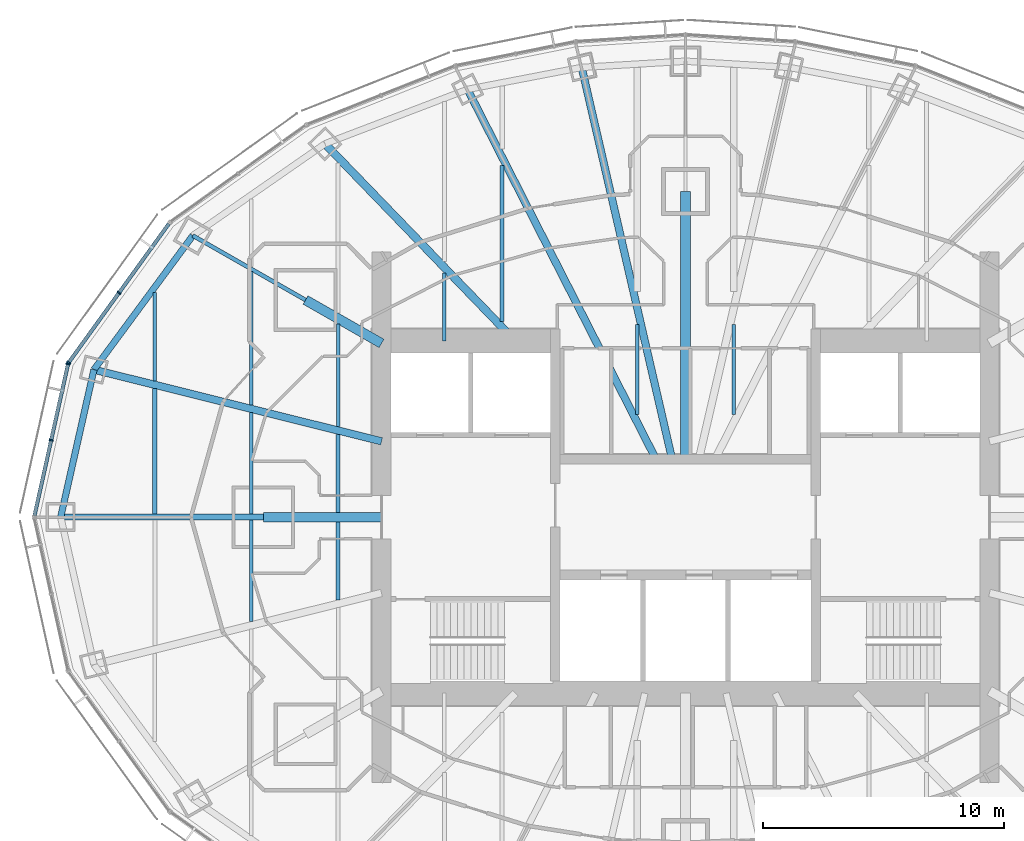
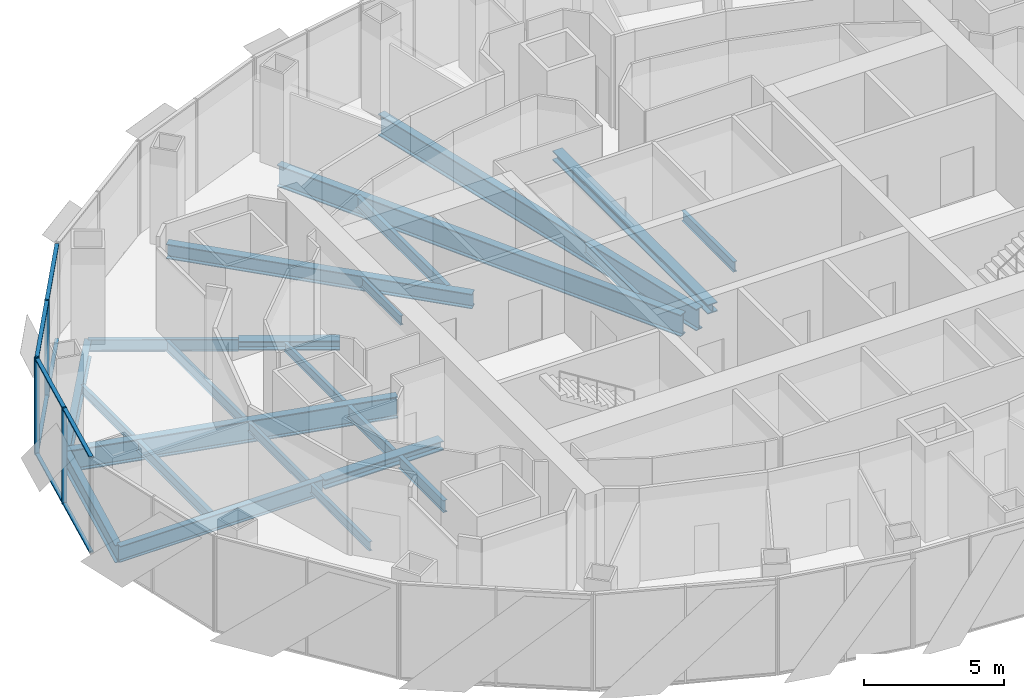
# One storey, part 4 of 18: 23 beams, 12 members, 2 elements without a shape of their own.
"""IFC4 building model written with IfcOpenShell, lengths in metres."""

from ifc_helpers import new_model, si_unit, direction, frame, origin, origin_2d, place, context, subcontext, project, spatial, rectangle, i_section, extrude, material, material_profile, profile_set, type_object, element, aggregate, save


model = new_model("IFC4")

# Units and contexts
model_context = context("Model", 3, precision=1e-05, world=origin(), true_north=direction((0.0, 1.0)))
body_context = subcontext(model_context, "Body", "Model", "MODEL_VIEW")
ifc_project = project(units=[si_unit("LENGTHUNIT", "METRE"), si_unit("AREAUNIT", "SQUARE_METRE"), si_unit("VOLUMEUNIT", "CUBIC_METRE"), si_unit("PLANEANGLEUNIT", "RADIAN"), si_unit("MASSUNIT", "GRAM", prefix="KILO")], contexts=[model_context])

# Site, building, storey
site_placement = place(None, origin())
site = spatial("IfcSite", under=ifc_project, at=site_placement, CompositionType="ELEMENT")
building_placement = place(site_placement, origin())
building = spatial("IfcBuilding", under=site, at=building_placement, Name="Lantaw Convention Tower", CompositionType="ELEMENT")
storey_placement = place(building_placement, frame((0.0, 0.0, 241.0)))
storey = spatial("IfcBuildingStorey", under=building, at=storey_placement, Name="L56", CompositionType="ELEMENT", Elevation=241.0)

# Beams
ifc_material_1 = material(Name="Steel ASTM A992", Category="steel")
ifc_material_profile_1 = material_profile(ifc_material_1, i_section(OverallWidth=0.2666015625, OverallDepth=0.76953125, WebThickness=0.015625, FlangeThickness=0.025390625, FilletRadius=0.0126953125, at=origin_2d()), Name="W30X132")
ifc_profile_set_1 = profile_set([ifc_material_profile_1], Name="Steel ASTM A992")
beam_type_1 = type_object("IfcBeamType", Name="Beam E W30X132", PredefinedType="SPANDREL", material=ifc_profile_set_1)
beam_1_placement = place(storey_placement, frame((-20.423095703125, 11.67041015625, -0.534912109375), z_axis=(-0.593639188853, -0.804731329984, 0.0), x_axis=(0.804731329984, -0.593639188853, 0.0)))
element("IfcBeam", 1, at=beam_1_placement, inside=storey, type_object=beam_type_1, Name="Edge beam 11", PredefinedType="SPANDREL", context=body_context, shape_type="SweptSolid", body=[
    extrude(i_section(OverallWidth=0.2666015625, OverallDepth=0.76953125, WebThickness=0.015625, FlangeThickness=0.025390625, FilletRadius=0.0126953125, at=origin_2d()), origin(), (0.0, 0.0, 1.0), 6.904541015625),
])
beam_2_placement = place(storey_placement, frame((-24.52197265625, 6.114013671875, -0.534912109375), z_axis=(-0.219857926596, -0.97553190215, 0.0), x_axis=(0.97553190215, -0.219857926596, 0.0)))
element("IfcBeam", 2, at=beam_2_placement, inside=storey, type_object=beam_type_1, Name="Edge beam 12", PredefinedType="SPANDREL", context=body_context, shape_type="SweptSolid", body=[
    extrude(i_section(OverallWidth=0.2666015625, OverallDepth=0.76953125, WebThickness=0.015625, FlangeThickness=0.025390625, FilletRadius=0.0126953125, at=origin_2d()), origin(), (0.0, 0.0, 1.0), 6.267333984375),
])
ifc_material_profile_2 = material_profile(ifc_material_1, i_section(OverallWidth=0.1650390625, OverallDepth=0.52587890625, WebThickness=0.0087890625, FlangeThickness=0.011474609375, FilletRadius=0.0126953125, at=origin_2d()), Name="W21X44")
ifc_profile_set_2 = profile_set([ifc_material_profile_2], Name="Steel ASTM A992")
beam_type_2 = type_object("IfcBeamType", Name="Beam G W21X44", PredefinedType="BEAM", material=ifc_profile_set_2)
beam_3_placement = place(storey_placement, frame((-15.75, 9.0, -0.412841796875), z_axis=(-0.868237559289, 0.496148708192, 0.0), x_axis=(-0.496148708192, -0.868237559289, 0.0)))
element("IfcBeam", 3, at=beam_3_placement, inside=storey, type_object=beam_type_2, Name="Floor girder on ray 11", PredefinedType="BEAM", context=body_context, shape_type="SweptSolid", body=[
    extrude(i_section(OverallWidth=0.1650390625, OverallDepth=0.52587890625, WebThickness=0.0087890625, FlangeThickness=0.011474609375, FilletRadius=0.0126953125, at=origin_2d()), origin(), (0.0, 0.0, 1.0), 5.38232421875),
])
ifc_material_profile_3 = material_profile(ifc_material_1, i_section(OverallWidth=0.32763671875, OverallDepth=0.64013671875, WebThickness=0.01904296875, FlangeThickness=0.033935546875, FilletRadius=0.0126953125, at=origin_2d()), Name="W24X176")
ifc_profile_set_3 = profile_set([ifc_material_profile_3], Name="Steel ASTM A992")
beam_type_3 = type_object("IfcBeamType", Name="Beam G W24X176", PredefinedType="BEAM", material=ifc_profile_set_3)
beam_4_placement = place(storey_placement, frame((-7.049560546875, 7.300048828125, -0.469970703125), z_axis=(-0.694657766726, 0.719340383356, 0.0), x_axis=(-0.719340383356, -0.694657766726, 0.0)))
element("IfcBeam", 4, at=beam_4_placement, inside=storey, type_object=beam_type_3, Name="Floor girder on ray 10", PredefinedType="BEAM", context=body_context, shape_type="SweptSolid", body=[
    extrude(i_section(OverallWidth=0.32763671875, OverallDepth=0.64013671875, WebThickness=0.01904296875, FlangeThickness=0.033935546875, FilletRadius=0.0126953125, at=origin_2d()), origin(), (0.0, 0.0, 1.0), 11.364990234375),
])
ifc_material_profile_4 = material_profile(ifc_material_1, i_section(OverallWidth=0.25390625, OverallDepth=0.700927734375, WebThickness=0.015380859375, FlangeThickness=0.02783203125, FilletRadius=0.01513671875, at=origin_2d()), Name="W27X129")
ifc_profile_set_4 = profile_set([ifc_material_profile_4], Name="Steel ASTM A992")
beam_type_4 = type_object("IfcBeamType", Name="Beam G W27X129", PredefinedType="BEAM", material=ifc_profile_set_4)
beam_5_placement = place(storey_placement, frame((-17.5, 0.0, -0.50048828125), z_axis=(-1.0, 0.0, 0.0), x_axis=(0.0, -1.0, 0.0)))
element("IfcBeam", 5, at=beam_5_placement, inside=storey, type_object=beam_type_4, Name="Floor girder on ray 13", PredefinedType="BEAM", context=body_context, shape_type="SweptSolid", body=[
    extrude(i_section(OverallWidth=0.25390625, OverallDepth=0.700927734375, WebThickness=0.015380859375, FlangeThickness=0.02783203125, FilletRadius=0.01513671875, at=origin_2d()), origin(), (0.0, 0.0, 1.0), 8.39990234375),
])
ifc_material_profile_5 = material_profile(ifc_material_1, i_section(OverallWidth=0.307373046875, OverallDepth=0.9423828125, WebThickness=0.022216796875, FlangeThickness=0.039794921875, FilletRadius=0.0126953125, at=origin_2d()), Name="W36X232")
ifc_profile_set_5 = profile_set([ifc_material_profile_5], Name="Steel ASTM A992")
beam_type_5 = type_object("IfcBeamType", Name="Beam G W36X232", PredefinedType="BEAM", material=ifc_profile_set_5)
beam_6_placement = place(storey_placement, frame((-0.55419921875, 2.39990234375, -0.62109375), z_axis=(-0.224948287002, 0.974370703672, 0.0), x_axis=(-0.974370703672, -0.224948287002, 0.0)))
element("IfcBeam", 6, at=beam_6_placement, inside=storey, type_object=beam_type_5, Name="Floor girder on ray 8", PredefinedType="BEAM", context=body_context, shape_type="SweptSolid", body=[
    extrude(i_section(OverallWidth=0.307373046875, OverallDepth=0.9423828125, WebThickness=0.022216796875, FlangeThickness=0.039794921875, FilletRadius=0.0126953125, at=origin_2d()), origin(), (0.0, 0.0, 1.0), 16.66943359375),
])
beam_7_placement = place(storey_placement, frame((-1.222900390625, 2.39990234375, -0.62109375), z_axis=(-0.453988481463, 0.891007552549, 0.0), x_axis=(-0.891007552549, -0.453988481463, 0.0)))
element("IfcBeam", 7, at=beam_7_placement, inside=storey, type_object=beam_type_5, Name="Floor girder on ray 9", PredefinedType="BEAM", context=body_context, shape_type="SweptSolid", body=[
    extrude(i_section(OverallWidth=0.307373046875, OverallDepth=0.9423828125, WebThickness=0.022216796875, FlangeThickness=0.039794921875, FilletRadius=0.0126953125, at=origin_2d()), origin(), (0.0, 0.0, 1.0), 17.20703125),
])
beam_8_placement = place(storey_placement, frame((-12.60009765625, 3.1416015625, -0.62109375), z_axis=(-0.970296589314, 0.241918434119, 0.0), x_axis=(-0.241918434119, -0.970296589314, 0.0)))
element("IfcBeam", 8, at=beam_8_placement, inside=storey, type_object=beam_type_5, Name="Floor girder on ray 12", PredefinedType="BEAM", context=body_context, shape_type="SweptSolid", body=[
    extrude(i_section(OverallWidth=0.307373046875, OverallDepth=0.9423828125, WebThickness=0.022216796875, FlangeThickness=0.039794921875, FilletRadius=0.0126953125, at=origin_2d()), origin(), (0.0, 0.0, 1.0), 12.286865234375),
])
ifc_material_profile_6 = material_profile(ifc_material_1, i_section(OverallWidth=0.40380859375, OverallDepth=0.406494140625, WebThickness=0.027099609375, FlangeThickness=0.043701171875, FilletRadius=0.01513671875, at=origin_2d()), Name="W14X233")
ifc_profile_set_6 = profile_set([ifc_material_profile_6], Name="Steel ASTM A992")
beam_type_6 = type_object("IfcBeamType", Name="Beam GM W14X233", PredefinedType="BEAM", material=ifc_profile_set_6)
beam_9_placement = place(storey_placement, frame((0.0, 2.39990234375, -0.353271484375), z_axis=(0.0, 1.0, 0.0), x_axis=(-1.0, 0.0, 0.0)))
element("IfcBeam", 9, at=beam_9_placement, inside=storey, type_object=beam_type_6, Name="Core link beam on ray 7", PredefinedType="BEAM", context=body_context, shape_type="SweptSolid", body=[
    extrude(i_section(OverallWidth=0.40380859375, OverallDepth=0.406494140625, WebThickness=0.027099609375, FlangeThickness=0.043701171875, FilletRadius=0.01513671875, at=origin_2d()), origin(), (0.0, 0.0, 1.0), 11.10009765625),
])
beam_10_placement = place(storey_placement, frame((-12.60009765625, 7.199951171875, -0.353271484375), z_axis=(-0.868230718294, 0.496160679428, 0.0), x_axis=(-0.496160679428, -0.868230718294, 0.0)))
element("IfcBeam", 10, at=beam_10_placement, inside=storey, type_object=beam_type_6, Name="Core link beam on ray 11", PredefinedType="BEAM", context=body_context, shape_type="SweptSolid", body=[
    extrude(i_section(OverallWidth=0.40380859375, OverallDepth=0.406494140625, WebThickness=0.027099609375, FlangeThickness=0.043701171875, FilletRadius=0.01513671875, at=origin_2d()), origin(), (0.0, 0.0, 1.0), 3.6279296875),
])
beam_11_placement = place(storey_placement, frame((-12.60009765625, 0.0, -0.353271484375), z_axis=(-1.0, 0.0, 0.0), x_axis=(0.0, -1.0, 0.0)))
element("IfcBeam", 11, at=beam_11_placement, inside=storey, type_object=beam_type_6, Name="Core link beam on ray 13", PredefinedType="BEAM", context=body_context, shape_type="SweptSolid", body=[
    extrude(i_section(OverallWidth=0.40380859375, OverallDepth=0.406494140625, WebThickness=0.027099609375, FlangeThickness=0.043701171875, FilletRadius=0.01513671875, at=origin_2d()), origin(), (0.0, 0.0, 1.0), 4.89990234375),
])
ifc_material_profile_7 = material_profile(ifc_material_1, i_section(OverallWidth=0.140380859375, OverallDepth=0.40380859375, WebThickness=0.007080078125, FlangeThickness=0.01123046875, FilletRadius=0.01025390625, at=origin_2d()), Name="W16X31")
ifc_profile_set_7 = profile_set([ifc_material_profile_7], Name="Steel ASTM A992")
beam_type_7 = type_object("IfcBeamType", Name="Beam J W16X31", PredefinedType="JOIST", material=ifc_profile_set_7)
beam_12_placement = place(storey_placement, frame((-22.0, 5.6435546875, -0.35205078125), z_axis=(0.0, 1.0, 0.0), x_axis=(-1.0, 0.0, 0.0)))
element("IfcBeam", 12, at=beam_12_placement, inside=storey, type_object=beam_type_7, Name="Floor joist", PredefinedType="JOIST", context=body_context, shape_type="SweptSolid", body=[
    extrude(i_section(OverallWidth=0.140380859375, OverallDepth=0.40380859375, WebThickness=0.007080078125, FlangeThickness=0.01123046875, FilletRadius=0.01025390625, at=origin_2d()), origin(), (0.0, 0.0, 1.0), 3.66455078125),
])
for number, where, z_axis, x_axis, name in (
    (13, (-18.0, -4.32958984375, -0.35205078125), (0.0, 1.0, 0.0), (-1.0, 0.0, 0.0), "Floor joist"),
    (14, (-18.0, 0.126953125, -0.35205078125), (0.0, 1.0, 0.0), (-1.0, 0.0, 0.0), "Floor joist"),
):
    element("IfcBeam", number, at=place(storey_placement, frame(where, z_axis=z_axis, x_axis=x_axis)), inside=storey, type_object=beam_type_7, Name=name, PredefinedType="JOIST", context=body_context, shape_type="SweptSolid", body=[
        extrude(i_section(OverallWidth=0.140380859375, OverallDepth=0.40380859375, WebThickness=0.007080078125, FlangeThickness=0.01123046875, FilletRadius=0.01025390625, at=origin_2d()), origin(), (0.0, 0.0, 1.0), 4.20263671875),
    ])
beam_13_placement = place(storey_placement, frame((-14.39990234375, 3.748779296875, -0.35205078125), z_axis=(0.0, 1.0, 0.0), x_axis=(-1.0, 0.0, 0.0)))
element("IfcBeam", 15, at=beam_13_placement, inside=storey, type_object=beam_type_7, Name="Floor joist", PredefinedType="JOIST", context=body_context, shape_type="SweptSolid", body=[
    extrude(i_section(OverallWidth=0.140380859375, OverallDepth=0.40380859375, WebThickness=0.007080078125, FlangeThickness=0.01123046875, FilletRadius=0.01025390625, at=origin_2d()), origin(), (0.0, 0.0, 1.0), 4.247314453125),
])
beam_14_placement = place(storey_placement, frame((-10.0, 7.300048828125, -0.35205078125), z_axis=(0.0, 1.0, 0.0), x_axis=(-1.0, 0.0, 0.0)))
element("IfcBeam", 16, at=beam_14_placement, inside=storey, type_object=beam_type_7, Name="Floor joist", PredefinedType="JOIST", context=body_context, shape_type="SweptSolid", body=[
    extrude(i_section(OverallWidth=0.140380859375, OverallDepth=0.40380859375, WebThickness=0.007080078125, FlangeThickness=0.01123046875, FilletRadius=0.01025390625, at=origin_2d()), origin(), (0.0, 0.0, 1.0), 2.8193359375),
])
ifc_material_profile_8 = material_profile(ifc_material_1, i_section(OverallWidth=0.15234375, OverallDepth=0.449462890625, WebThickness=0.007568359375, FlangeThickness=0.0107421875, FilletRadius=0.01025390625, at=origin_2d()), Name="W18X35")
ifc_profile_set_8 = profile_set([ifc_material_profile_8], Name="Steel ASTM A992")
beam_type_8 = type_object("IfcBeamType", Name="Beam J W18X35", PredefinedType="JOIST", material=ifc_profile_set_8)
beam_15_placement = place(storey_placement, frame((-18.0, 4.646240234375, -0.374755859375), z_axis=(0.0, 1.0, 0.0), x_axis=(-1.0, 0.0, 0.0)))
element("IfcBeam", 17, at=beam_15_placement, inside=storey, type_object=beam_type_8, Name="Floor joist", PredefinedType="JOIST", context=body_context, shape_type="SweptSolid", body=[
    extrude(i_section(OverallWidth=0.15234375, OverallDepth=0.449462890625, WebThickness=0.007568359375, FlangeThickness=0.0107421875, FilletRadius=0.01025390625, at=origin_2d()), origin(), (0.0, 0.0, 1.0), 5.54443359375),
])
for number, where, z_axis, x_axis, name in (
    (18, (-2.0, 4.263671875, -0.374755859375), (0.0, 1.0, 0.0), (-1.0, 0.0, 0.0), "Floor joist"),
    (19, (2.0, 4.263671875, -0.374755859375), (0.0, 1.0, 0.0), (-1.0, 0.0, 0.0), "Floor joist"),
):
    element("IfcBeam", number, at=place(storey_placement, frame(where, z_axis=z_axis, x_axis=x_axis)), inside=storey, type_object=beam_type_8, Name=name, PredefinedType="JOIST", context=body_context, shape_type="SweptSolid", body=[
        extrude(i_section(OverallWidth=0.15234375, OverallDepth=0.449462890625, WebThickness=0.007568359375, FlangeThickness=0.0107421875, FilletRadius=0.01025390625, at=origin_2d()), origin(), (0.0, 0.0, 1.0), 3.716064453125),
    ])
ifc_material_profile_9 = material_profile(ifc_material_1, i_section(OverallWidth=0.1904296875, OverallDepth=0.457275390625, WebThickness=0.009033203125, FlangeThickness=0.014404296875, FilletRadius=0.01025390625, at=origin_2d()), Name="W18X50")
ifc_profile_set_9 = profile_set([ifc_material_profile_9], Name="Steel ASTM A992")
beam_type_9 = type_object("IfcBeamType", Name="Beam J W18X50", PredefinedType="JOIST", material=ifc_profile_set_9)
beam_16_placement = place(storey_placement, frame((-22.0, 0.126953125, -0.378662109375), z_axis=(0.0, 1.0, 0.0), x_axis=(-1.0, 0.0, 0.0)))
element("IfcBeam", 20, at=beam_16_placement, inside=storey, type_object=beam_type_9, Name="Floor joist", PredefinedType="JOIST", context=body_context, shape_type="SweptSolid", body=[
    extrude(i_section(OverallWidth=0.1904296875, OverallDepth=0.457275390625, WebThickness=0.009033203125, FlangeThickness=0.014404296875, FilletRadius=0.01025390625, at=origin_2d()), origin(), (0.0, 0.0, 1.0), 5.199951171875),
])
ifc_material_profile_10 = material_profile(ifc_material_1, i_section(OverallWidth=0.1650390625, OverallDepth=0.52587890625, WebThickness=0.0087890625, FlangeThickness=0.011474609375, FilletRadius=0.0126953125, at=origin_2d()), Name="W21X44")
ifc_profile_set_10 = profile_set([ifc_material_profile_10], Name="Steel ASTM A992")
beam_type_10 = type_object("IfcBeamType", Name="Beam J W21X44", PredefinedType="JOIST", material=ifc_profile_set_10)
for number, where, z_axis, x_axis, name in (
    (21, (-14.39990234375, -3.431884765625, -0.412841796875), (0.0, 1.0, 0.0), (-1.0, 0.0, 0.0), "Floor joist"),
    (22, (-14.39990234375, 0.201904296875, -0.412841796875), (0.0, 1.0, 0.0), (-1.0, 0.0, 0.0), "Floor joist"),
):
    element("IfcBeam", number, at=place(storey_placement, frame(where, z_axis=z_axis, x_axis=x_axis)), inside=storey, type_object=beam_type_10, Name=name, PredefinedType="JOIST", context=body_context, shape_type="SweptSolid", body=[
        extrude(i_section(OverallWidth=0.1650390625, OverallDepth=0.52587890625, WebThickness=0.0087890625, FlangeThickness=0.011474609375, FilletRadius=0.0126953125, at=origin_2d()), origin(), (0.0, 0.0, 1.0), 3.22998046875),
    ])
beam_17_placement = place(storey_placement, frame((-7.60009765625, 8.10595703125, -0.412841796875), z_axis=(0.0, 1.0, 0.0), x_axis=(-1.0, 0.0, 0.0)))
element("IfcBeam", 23, at=beam_17_placement, inside=storey, type_object=beam_type_10, Name="Floor joist", PredefinedType="JOIST", context=body_context, shape_type="SweptSolid", body=[
    extrude(i_section(OverallWidth=0.1650390625, OverallDepth=0.52587890625, WebThickness=0.0087890625, FlangeThickness=0.011474609375, FilletRadius=0.0126953125, at=origin_2d()), origin(), (0.0, 0.0, 1.0), 6.471435546875),
])

# Curtain wall, members
ifc_material_2 = material(Name="Aluminium framed curtain wall", Category="aluminium")
curtain_wall_type = type_object("IfcCurtainWallType", Name="Office curtain wall high rise, pale aluminium", PredefinedType="USERDEFINED", material=ifc_material_2)
curtain_wall_1_placement = place(storey_placement, origin())
curtain_wall_1 = element("IfcCurtainWall", 24, at=curtain_wall_1_placement, inside=storey, type_object=curtain_wall_type, Name="Office curtain wall high rise, pale aluminium L56", ObjectType="UNITISED CURTAIN WALL", PredefinedType="USERDEFINED")
ifc_material_3 = material(Name="Aluminium 6063-T6", Category="aluminium")
ifc_material_profile_11 = material_profile(ifc_material_3, rectangle(XDim=0.179931640625, YDim=0.06494140625, at=origin_2d()), Name="CW-O2 mullion 65x180")
ifc_profile_set_11 = profile_set([ifc_material_profile_11], Name="Aluminium 6063-T6")
member_type_1 = type_object("IfcMemberType", Name="CW-O2 mullion 65x180", PredefinedType="MULLION", material=ifc_profile_set_11)
member_1_placement = place(storey_placement, frame((-23.483642578125, 9.298095703125, -0.14990234375), z_axis=(0.0, 0.0, 1.0), x_axis=(0.810919559405, -0.585157643865, 0.0)))
member_1 = element("IfcMember", 25, at=member_1_placement, type_object=member_type_1, Name="CW-O2 mullion 2", PredefinedType="MULLION", context=body_context, shape_type="SweptSolid", body=[
    extrude(rectangle(XDim=0.179931640625, YDim=0.06494140625, at=origin_2d()), origin(), (0.0, 0.0, 1.0), 4.199951171875),
])
member_2_placement = place(storey_placement, frame((-25.5703125, 6.406494140625, -0.14990234375), z_axis=(0.0, 0.0, 1.0), x_axis=(0.810919559405, -0.585157643865, 0.0)))
member_2 = element("IfcMember", 26, at=member_2_placement, type_object=member_type_1, Name="CW-O2 mullion 3", PredefinedType="MULLION", context=body_context, shape_type="SweptSolid", body=[
    extrude(rectangle(XDim=0.179931640625, YDim=0.06494140625, at=origin_2d()), origin(), (0.0, 0.0, 1.0), 4.199951171875),
])

curtain_wall_2_placement = place(storey_placement, origin())
curtain_wall_2 = element("IfcCurtainWall", 27, at=curtain_wall_2_placement, inside=storey, type_object=curtain_wall_type, Name="Office curtain wall high rise, pale aluminium L56", ObjectType="UNITISED CURTAIN WALL", PredefinedType="USERDEFINED")
member_3_placement = place(storey_placement, frame((-25.596435546875, 6.348388671875, -0.14990234375), z_axis=(0.0, 0.0, 1.0), x_axis=(0.976417396437, -0.215891333626, 0.0)))
member_3 = element("IfcMember", 28, at=member_3_placement, type_object=member_type_1, Name="CW-O2 mullion 1", PredefinedType="MULLION", context=body_context, shape_type="SweptSolid", body=[
    extrude(rectangle(XDim=0.179931640625, YDim=0.06494140625, at=origin_2d()), origin(), (0.0, 0.0, 1.0), 4.199951171875),
])
member_4_placement = place(storey_placement, frame((-26.294677734375, 3.190185546875, -0.14990234375), z_axis=(0.0, 0.0, 1.0), x_axis=(0.976417396437, -0.215891333626, 0.0)))
member_4 = element("IfcMember", 29, at=member_4_placement, type_object=member_type_1, Name="CW-O2 mullion 2", PredefinedType="MULLION", context=body_context, shape_type="SweptSolid", body=[
    extrude(rectangle(XDim=0.179931640625, YDim=0.06494140625, at=origin_2d()), origin(), (0.0, 0.0, 1.0), 4.199951171875),
])

# Member
ifc_material_profile_12 = material_profile(ifc_material_3, rectangle(XDim=0.14990234375, YDim=0.06494140625, at=origin_2d()), Name="CW-O2 transom 65x150")
ifc_profile_set_12 = profile_set([ifc_material_profile_12], Name="Aluminium 6063-T6")
member_type_2 = type_object("IfcMemberType", Name="CW-O2 transom 65x150", PredefinedType="USERDEFINED", material=ifc_profile_set_12)
member_5_placement = place(storey_placement, frame((-21.416259765625, 12.163330078125, -0.117431640625), z_axis=(-0.585123825205, -0.810943961798, 0.0), x_axis=(0.810943961798, -0.585123825205, 0.0)))
member_5 = element("IfcMember", 30, at=member_5_placement, type_object=member_type_2, Name="CW-O2 transom 1.1", ObjectType="TRANSOM", PredefinedType="USERDEFINED", context=body_context, shape_type="SweptSolid", body=[
    extrude(rectangle(XDim=0.14990234375, YDim=0.06494140625, at=origin_2d()), origin(), (0.0, 0.0, 1.0), 3.500732421875),
])

member_6_placement = place(storey_placement, frame((-21.416259765625, 12.163330078125, 4.017578125), z_axis=(-0.585123825205, -0.810943961798, 0.0), x_axis=(0.810943961798, -0.585123825205, 0.0)))
member_6 = element("IfcMember", 31, at=member_6_placement, type_object=member_type_2, Name="CW-O2 transom 1.2", ObjectType="TRANSOM", PredefinedType="USERDEFINED", context=body_context, shape_type="SweptSolid", body=[
    extrude(rectangle(XDim=0.14990234375, YDim=0.06494140625, at=origin_2d()), origin(), (0.0, 0.0, 1.0), 3.500732421875),
])

member_7_placement = place(storey_placement, frame((-23.502685546875, 9.271728515625, -0.117431640625), z_axis=(-0.585169685931, -0.810910869743, 0.0), x_axis=(0.810910869743, -0.585169685931, 0.0)))
member_7 = element("IfcMember", 32, at=member_7_placement, type_object=member_type_2, Name="CW-O2 transom 2.1", ObjectType="TRANSOM", PredefinedType="USERDEFINED", context=body_context, shape_type="SweptSolid", body=[
    extrude(rectangle(XDim=0.14990234375, YDim=0.06494140625, at=origin_2d()), origin(), (0.0, 0.0, 1.0), 3.500732421875),
])

member_8_placement = place(storey_placement, frame((-23.502685546875, 9.271728515625, 4.017578125), z_axis=(-0.585169685931, -0.810910869743, 0.0), x_axis=(0.810910869743, -0.585169685931, 0.0)))
member_8 = element("IfcMember", 33, at=member_8_placement, type_object=member_type_2, Name="CW-O2 transom 2.2", ObjectType="TRANSOM", PredefinedType="USERDEFINED", context=body_context, shape_type="SweptSolid", body=[
    extrude(rectangle(XDim=0.14990234375, YDim=0.06494140625, at=origin_2d()), origin(), (0.0, 0.0, 1.0), 3.500732421875),
])

aggregate(curtain_wall_1, [member_1, member_2, member_5, member_6, member_7, member_8])

member_9_placement = place(storey_placement, frame((-25.603271484375, 6.316650390625, -0.117431640625), z_axis=(-0.215894607042, -0.976416672661, 0.0), x_axis=(0.976416672661, -0.215894607042, 0.0)))
member_9 = element("IfcMember", 34, at=member_9_placement, type_object=member_type_2, Name="CW-O2 transom 1.1", ObjectType="TRANSOM", PredefinedType="USERDEFINED", context=body_context, shape_type="SweptSolid", body=[
    extrude(rectangle(XDim=0.14990234375, YDim=0.06494140625, at=origin_2d()), origin(), (0.0, 0.0, 1.0), 3.169677734375),
])

member_10_placement = place(storey_placement, frame((-25.603271484375, 6.316650390625, 4.017578125), z_axis=(-0.215894607042, -0.976416672661, 0.0), x_axis=(0.976416672661, -0.215894607042, 0.0)))
member_10 = element("IfcMember", 35, at=member_10_placement, type_object=member_type_2, Name="CW-O2 transom 1.2", ObjectType="TRANSOM", PredefinedType="USERDEFINED", context=body_context, shape_type="SweptSolid", body=[
    extrude(rectangle(XDim=0.14990234375, YDim=0.06494140625, at=origin_2d()), origin(), (0.0, 0.0, 1.0), 3.169677734375),
])

member_11_placement = place(storey_placement, frame((-26.3017578125, 3.158447265625, -0.117431640625), z_axis=(-0.215894607042, -0.976416672661, 0.0), x_axis=(0.976416672661, -0.215894607042, 0.0)))
member_11 = element("IfcMember", 36, at=member_11_placement, type_object=member_type_2, Name="CW-O2 transom 2.1", ObjectType="TRANSOM", PredefinedType="USERDEFINED", context=body_context, shape_type="SweptSolid", body=[
    extrude(rectangle(XDim=0.14990234375, YDim=0.06494140625, at=origin_2d()), origin(), (0.0, 0.0, 1.0), 3.169677734375),
])

member_12_placement = place(storey_placement, frame((-26.3017578125, 3.158447265625, 4.017578125), z_axis=(-0.215894607042, -0.976416672661, 0.0), x_axis=(0.976416672661, -0.215894607042, 0.0)))
member_12 = element("IfcMember", 37, at=member_12_placement, type_object=member_type_2, Name="CW-O2 transom 2.2", ObjectType="TRANSOM", PredefinedType="USERDEFINED", context=body_context, shape_type="SweptSolid", body=[
    extrude(rectangle(XDim=0.14990234375, YDim=0.06494140625, at=origin_2d()), origin(), (0.0, 0.0, 1.0), 3.169677734375),
])

aggregate(curtain_wall_2, [member_3, member_4, member_9, member_10, member_11, member_12])

save(model, "model.ifc")
